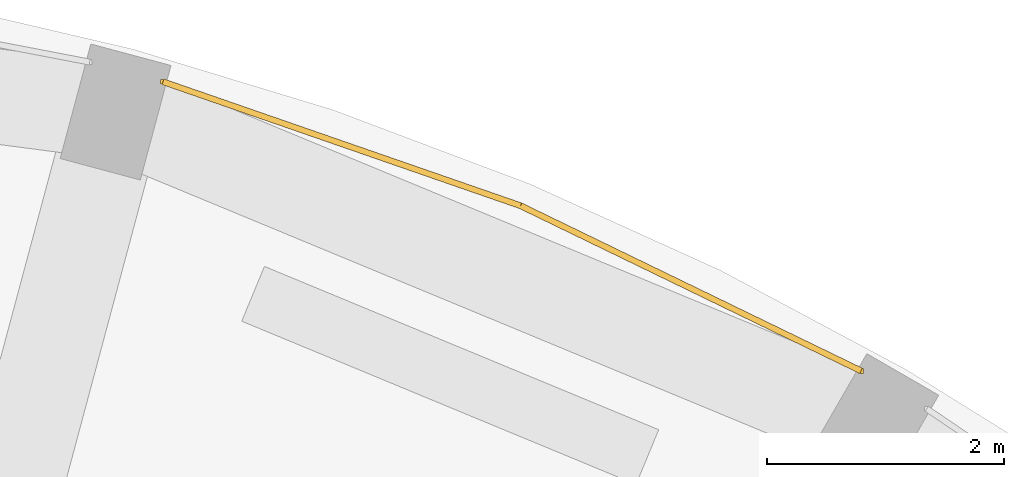
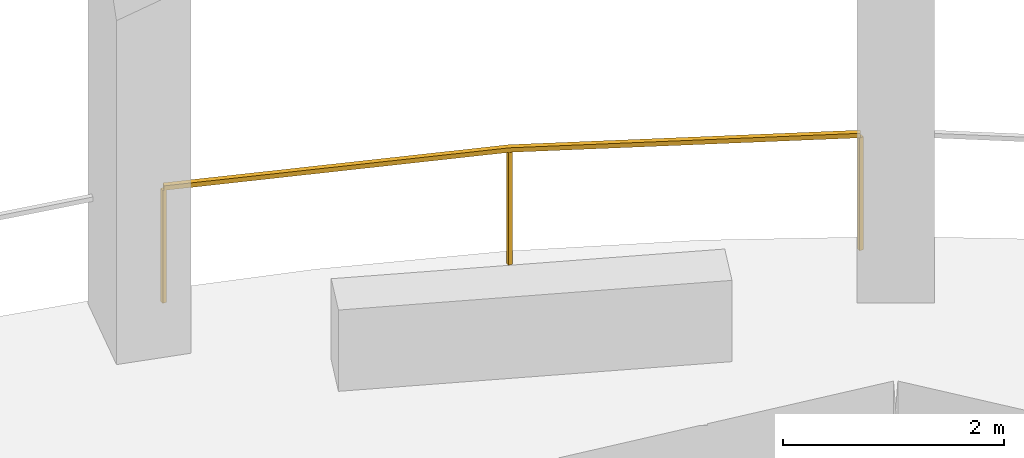
# One storey, part 9 of 9: 1 railing.
"""IFC4 building model written with IfcOpenShell, lengths in metres."""

from ifc_helpers import new_model, si_unit, direction, frame, origin, origin_2d, place, context, subcontext, project, spatial, rectangle, extrude, material, type_object, element, save


model = new_model("IFC4")

# Units and contexts
model_context = context("Model", 3, precision=1e-05, world=origin(), true_north=direction((0.0, 1.0)))
body_context = subcontext(model_context, "Body", "Model", "MODEL_VIEW")
ifc_project = project(units=[si_unit("LENGTHUNIT", "METRE"), si_unit("AREAUNIT", "SQUARE_METRE"), si_unit("VOLUMEUNIT", "CUBIC_METRE"), si_unit("PLANEANGLEUNIT", "RADIAN"), si_unit("MASSUNIT", "GRAM", prefix="KILO")], contexts=[model_context])

# Site, building, storey
site_placement = place(None, origin())
site = spatial("IfcSite", under=ifc_project, at=site_placement, CompositionType="ELEMENT")
building_placement = place(site_placement, origin())
building = spatial("IfcBuilding", under=site, at=building_placement, Name="Torre Triforio", CompositionType="ELEMENT")
storey_placement = place(building_placement, frame((0.0, 0.0, 43.0)))
storey = spatial("IfcBuildingStorey", under=building, at=storey_placement, Name="L08", CompositionType="ELEMENT", Elevation=43.0)

# Railing
ifc_material = material(Name="Stainless steel AISI 316", Category="steel")
railing_type = type_object("IfcRailingType", Name="Loggia guard 1300", PredefinedType="GUARDRAIL", material=ifc_material)
railing_placement = place(storey_placement, frame((13.14794921875, 23.412841796875, 0.0)))
element("IfcRailing", 1, at=railing_placement, inside=storey, type_object=railing_type, Name="Loggia guard L08 bay 05", PredefinedType="GUARDRAIL", context=body_context, shape_type="SweptSolid", body=[
    extrude(rectangle(XDim=0.050048828125, YDim=0.050048828125, at=origin_2d()), frame((0.0, 0.0, 1.27490234375), z_axis=(-0.899760432952, 0.436384192305, 0.0), x_axis=(-0.436384192305, -0.899760432952, 0.0)), (0.0, 0.0, 1.0), 3.19287109375),
    extrude(rectangle(XDim=0.050048828125, YDim=0.050048828125, at=origin_2d()), frame((-2.872802734375, 1.393310546875, 1.27490234375), z_axis=(-0.94480685358, 0.327627852034, 0.0), x_axis=(-0.327627852034, -0.94480685358, 0.0)), (0.0, 0.0, 1.0), 3.193115234375),
    extrude(rectangle(XDim=0.0400390625, YDim=0.0400390625, at=origin_2d()), origin(), (0.0, 0.0, 1.0), 1.25),
    extrude(rectangle(XDim=0.0400390625, YDim=0.0400390625, at=origin_2d()), frame((-2.872802734375, 1.393310546875, 0.0)), (0.0, 0.0, 1.0), 1.25),
    extrude(rectangle(XDim=0.0400390625, YDim=0.0400390625, at=origin_2d()), frame((-5.8896484375, 2.439453125, 0.0)), (0.0, 0.0, 1.0), 1.25),
])

save(model, "model.ifc")
